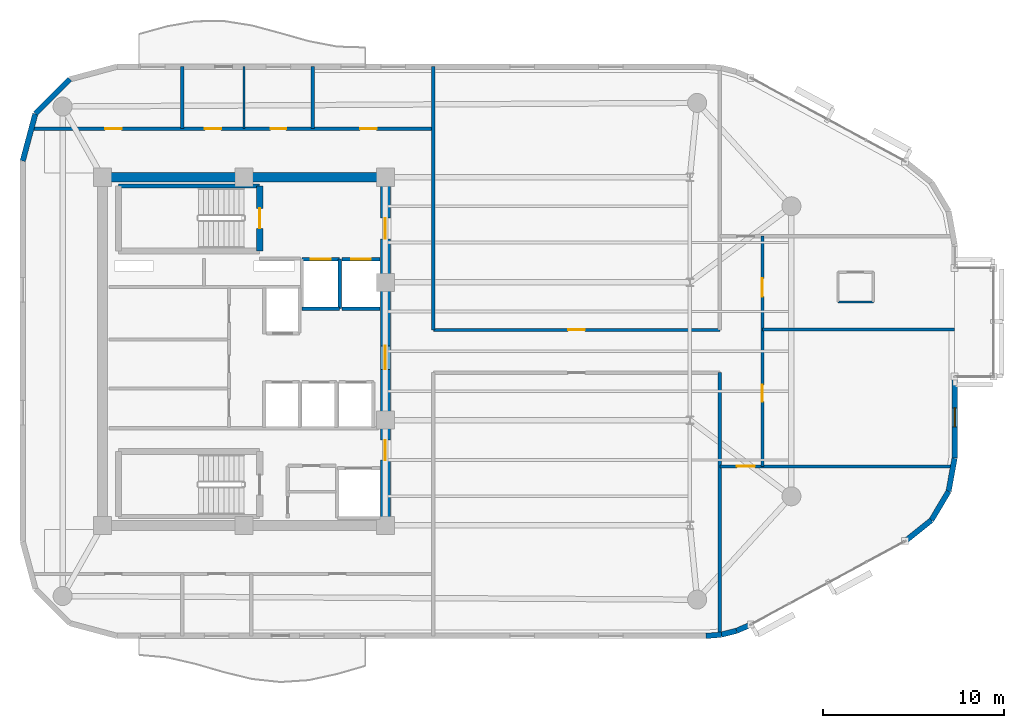
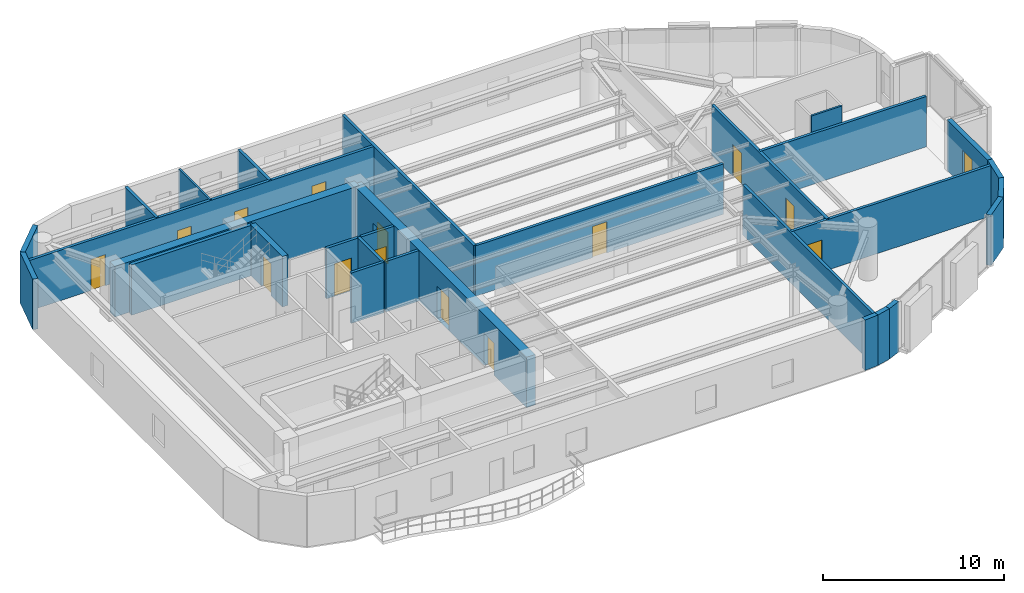
# One storey, part 11 of 14: 29 walls, 14 doors, 1 window, 15 openings.
"""IFC4 building model written with IfcOpenShell, lengths in metres."""

from ifc_helpers import new_model, si_unit, direction, frame, frame_2d, origin, place, context, subcontext, project, spatial, rectangle, extrude, material, layer, layer_set, type_object, element, fill, save


model = new_model("IFC4")

# Units and contexts
model_context = context("Model", 3, precision=1e-05, world=origin(), true_north=direction((0.0, 1.0)))
body_context = subcontext(model_context, "Body", "Model", "MODEL_VIEW")
ifc_project = project(units=[si_unit("LENGTHUNIT", "METRE"), si_unit("AREAUNIT", "SQUARE_METRE"), si_unit("VOLUMEUNIT", "CUBIC_METRE"), si_unit("PLANEANGLEUNIT", "RADIAN"), si_unit("MASSUNIT", "GRAM", prefix="KILO")], contexts=[model_context])

# Site, building, storey
site_placement = place(None, origin())
site = spatial("IfcSite", under=ifc_project, at=site_placement, CompositionType="ELEMENT")
building_placement = place(site_placement, origin())
building = spatial("IfcBuilding", under=site, at=building_placement, Name="An Khanh Terracotta Commons", CompositionType="ELEMENT")
storey_placement = place(building_placement, frame((0.0, 0.0, 230.10009765625)))
storey = spatial("IfcBuildingStorey", under=building, at=storey_placement, Name="L60", CompositionType="ELEMENT", Elevation=230.10009765625)

# Wall
ifc_material_1 = material(Name="Concrete C50/60", Category="concrete")
ifc_layer_1 = layer(ifc_material_1, 0.550048828125, Name="Concrete C50/60")
ifc_layer_set_1 = layer_set([ifc_layer_1], Name="Concrete C50/60")
wall_type_1 = type_object("IfcWallType", Name="WALL-CORE-550", PredefinedType="SHEAR", material=ifc_layer_set_1)
wall_1_placement = place(storey_placement, frame((21.60009765625, 33.60009765625, 0.0), z_axis=(0.0, 0.0, 1.0), x_axis=(1.0, 0.0, 0.0)))
element("IfcWall", 1, at=wall_1_placement, inside=storey, type_object=wall_type_1, Name="L60 Core Wall CWALL-L60-N", PredefinedType="SHEAR", context=body_context, shape_type="SweptSolid", body=[
    extrude(rectangle(XDim=15.599853515625, YDim=0.550048828125, at=frame_2d((7.7998046875, 0.0))), origin(), (0.0, 0.0, 1.0), 3.39990234375),
])

# Wall, openings, doors
wall_2_placement = place(storey_placement, frame((37.199951171875, 14.39990234375, 0.0), z_axis=(0.0, 0.0, 1.0), x_axis=(0.0, 1.0, 0.0)))
wall_2 = element("IfcWall", 2, at=wall_2_placement, inside=storey, type_object=wall_type_1, Name="L60 Core Wall CWALL-L60-E", PredefinedType="SHEAR", context=body_context, shape_type="SweptSolid", body=[
    extrude(rectangle(XDim=19.2001953125, YDim=0.550048828125, at=frame_2d((9.60009765625, 0.0))), origin(), (0.0, 0.0, 1.0), 3.39990234375),
])
opening_1_placement = place(wall_2_placement, frame((15.800048828125, 0.0, 0.0)))
opening_1 = element("IfcOpeningElement", 3, at=opening_1_placement, cuts=wall_2, Name="Opening D-FFL", PredefinedType="OPENING", context=body_context, shape_type="SweptSolid", body=[
    extrude(rectangle(XDim=1.14990234375, YDim=2.14990234375, at=frame_2d((0.574951171875, 1.074951171875))), frame((0.0, 0.284912109375, 0.0), z_axis=(0.0, -1.0, 0.0), x_axis=(1.0, 0.0, 0.0)), (0.0, 0.0, 1.0), 0.570068359375),
])
opening_2_placement = place(wall_2_placement, frame((3.60009765625, 0.0, 0.0)))
opening_2 = element("IfcOpeningElement", 4, at=opening_2_placement, cuts=wall_2, Name="Opening D-ST", PredefinedType="OPENING", context=body_context, shape_type="SweptSolid", body=[
    extrude(rectangle(XDim=1.10009765625, YDim=2.14990234375, at=frame_2d((0.550048828125, 1.074951171875))), frame((0.0, 0.284912109375, 0.0), z_axis=(0.0, -1.0, 0.0), x_axis=(1.0, 0.0, 0.0)), (0.0, 0.0, 1.0), 0.570068359375),
])
opening_3_placement = place(wall_2_placement, frame((8.60009765625, 0.0, 0.0)))
opening_3 = element("IfcOpeningElement", 5, at=opening_3_placement, cuts=wall_2, Name="Opening D-COR", PredefinedType="OPENING", context=body_context, shape_type="SweptSolid", body=[
    extrude(rectangle(XDim=1.300048828125, YDim=2.199951171875, at=frame_2d((0.64990234375, 1.10009765625))), frame((0.0, 0.284912109375, 0.0), z_axis=(0.0, -1.0, 0.0), x_axis=(1.0, 0.0, 0.0)), (0.0, 0.0, 1.0), 0.570068359375),
])
ifc_material_2 = material(Name="Fire-Rated Glazed Steel Double Door", Category="steel")
door_type_1 = type_object("IfcDoorType", Name="DOOR-CORR-1300", OperationType="NOTDEFINED", PredefinedType="DOOR", material=ifc_material_2)
door_1_placement = place(opening_3_placement, origin())
door_1 = element("IfcDoor", 6, at=door_1_placement, inside=storey, type_object=door_type_1, Name="L60 Passenger Lift Lobby Double Door", OperationType="DOUBLE_DOOR_SINGLE_SWING", OverallHeight=2.199951171875, OverallWidth=1.300048828125, PredefinedType="DOOR", context=body_context, shape_type="SweptSolid", body=[
    extrude(rectangle(XDim=1.300048828125, YDim=2.199951171875, at=frame_2d((0.64990234375, 1.10009765625))), frame((0.0, 0.02490234375, 0.0), z_axis=(0.0, -1.0, 0.0), x_axis=(1.0, 0.0, 0.0)), (0.0, 0.0, 1.0), 0.050048828125),
])
fill(opening_3, door_1)
ifc_material_3 = material(Name="Fire-Rated Steel Leaf and Vision Panel", Category="steel")
door_type_2 = type_object("IfcDoorType", Name="DOOR-FFL-1150", OperationType="NOTDEFINED", PredefinedType="DOOR", material=ifc_material_3)
door_2_placement = place(opening_1_placement, origin())
door_2 = element("IfcDoor", 7, at=door_2_placement, inside=storey, type_object=door_type_2, Name="L60 Firefighting Lift Lobby Fire Door", OperationType="SINGLE_SWING_RIGHT", OverallHeight=2.14990234375, OverallWidth=1.14990234375, PredefinedType="DOOR", context=body_context, shape_type="SweptSolid", body=[
    extrude(rectangle(XDim=1.14990234375, YDim=2.14990234375, at=frame_2d((0.574951171875, 1.074951171875))), frame((0.0, 0.02490234375, 0.0), z_axis=(0.0, -1.0, 0.0), x_axis=(1.0, 0.0, 0.0)), (0.0, 0.0, 1.0), 0.050048828125),
])
fill(opening_1, door_2)
ifc_material_4 = material(Name="Fire-Rated Steel Leaf and Frame", Category="steel")
door_type_3 = type_object("IfcDoorType", Name="DOOR-STAIR-1100", OperationType="NOTDEFINED", PredefinedType="DOOR", material=ifc_material_4)
door_3_placement = place(opening_2_placement, origin())
door_3 = element("IfcDoor", 8, at=door_3_placement, inside=storey, type_object=door_type_3, Name="L60 South Stair Lobby Fire Door", OperationType="SINGLE_SWING_LEFT", OverallHeight=2.14990234375, OverallWidth=1.10009765625, PredefinedType="DOOR", context=body_context, shape_type="SweptSolid", body=[
    extrude(rectangle(XDim=1.10009765625, YDim=2.14990234375, at=frame_2d((0.550048828125, 1.074951171875))), frame((0.0, 0.02490234375, 0.0), z_axis=(0.0, -1.0, 0.0), x_axis=(1.0, 0.0, 0.0)), (0.0, 0.0, 1.0), 0.050048828125),
])
fill(opening_2, door_3)

# Wall, opening, door
ifc_material_5 = material(Name="Fire-Rated Gypsum Board on Steel Stud", Category="steel")
ifc_layer_2 = layer(ifc_material_5, 0.179931640625, Name="Fire-Rated Gypsum Board on Steel Stud")
ifc_layer_set_2 = layer_set([ifc_layer_2], Name="Fire-Rated Gypsum Board on Steel Stud")
wall_type_2 = type_object("IfcWallType", Name="WALL-CORR-180", PredefinedType="PARTITIONING", material=ifc_layer_set_2)
wall_3_placement = place(storey_placement, frame((32.60009765625, 29.080078125, 0.0), z_axis=(0.0, 0.0, 1.0), x_axis=(1.0, 0.0, 0.0)))
wall_3 = element("IfcWall", 9, at=wall_3_placement, inside=storey, type_object=wall_type_2, Name="L60 Core Wall LSH-L60-FFL-01-N", PredefinedType="PARTITIONING", context=body_context, shape_type="SweptSolid", body=[
    extrude(rectangle(XDim=2.079833984375, YDim=0.179931640625, at=frame_2d((1.0400390625, 0.0))), origin(), (0.0, 0.0, 1.0), 3.39990234375),
])
opening_4_placement = place(wall_3_placement, frame((0.489990234375, 0.0, 0.0)))
opening_4 = element("IfcOpeningElement", 10, at=opening_4_placement, cuts=wall_3, Name="Opening LD-FFL-01-L60", PredefinedType="OPENING", context=body_context, shape_type="SweptSolid", body=[
    extrude(rectangle(XDim=1.10009765625, YDim=2.199951171875, at=frame_2d((0.550048828125, 1.10009765625))), frame((0.0, 0.099853515625, 0.0), z_axis=(0.0, -1.0, 0.0), x_axis=(1.0, 0.0, 0.0)), (0.0, 0.0, 1.0), 0.199951171875),
])
ifc_material_6 = material(Name="Brushed Stainless Steel Fire Landing Door", Category="steel")
door_type_4 = type_object("IfcDoorType", Name="DOOR-LD-FFL-1100", OperationType="NOTDEFINED", PredefinedType="DOOR", material=ifc_material_6)
door_4_placement = place(opening_4_placement, origin())
door_4 = element("IfcDoor", 11, at=door_4_placement, inside=storey, type_object=door_type_4, Name="L60 Lift FFL-01 Sliding Landing Door", OperationType="DOUBLE_DOOR_SLIDING", OverallHeight=2.199951171875, OverallWidth=1.10009765625, PredefinedType="DOOR", context=body_context, shape_type="SweptSolid", body=[
    extrude(rectangle(XDim=1.10009765625, YDim=2.199951171875, at=frame_2d((0.550048828125, 1.10009765625))), frame((0.0, 0.02490234375, 0.0), z_axis=(0.0, -1.0, 0.0), x_axis=(1.0, 0.0, 0.0)), (0.0, 0.0, 1.0), 0.050048828125),
])
fill(opening_4, door_4)

# Walls
wall_4_placement = place(storey_placement, frame((34.679931640625, 26.35009765625, 0.0), z_axis=(0.0, 0.0, 1.0), x_axis=(-1.0, 0.0, 0.0)))
element("IfcWall", 12, at=wall_4_placement, inside=storey, type_object=wall_type_2, Name="L60 Core Wall LSH-L60-FFL-01-S", PredefinedType="PARTITIONING", context=body_context, shape_type="SweptSolid", body=[
    extrude(rectangle(XDim=2.079833984375, YDim=0.179931640625, at=frame_2d((1.0400390625, 0.0))), origin(), (0.0, 0.0, 1.0), 3.39990234375),
])
wall_5_placement = place(storey_placement, frame((34.679931640625, 26.35009765625, 0.0), z_axis=(0.0, 0.0, 1.0), x_axis=(0.0, 1.0, 0.0)))
element("IfcWall", 13, at=wall_5_placement, inside=storey, type_object=wall_type_2, Name="L60 Core Wall LSH-L60-FFL-01-E", PredefinedType="PARTITIONING", context=body_context, shape_type="SweptSolid", body=[
    extrude(rectangle(XDim=2.72998046875, YDim=0.179931640625, at=frame_2d((1.364990234375, 0.0))), origin(), (0.0, 0.0, 1.0), 3.39990234375),
])

# Wall, opening, door
wall_6_placement = place(storey_placement, frame((34.820068359375, 29.080078125, 0.0), z_axis=(0.0, 0.0, 1.0), x_axis=(1.0, 0.0, 0.0)))
wall_6 = element("IfcWall", 14, at=wall_6_placement, inside=storey, type_object=wall_type_2, Name="L60 Core Wall LSH-L60-FFL-02-N", PredefinedType="PARTITIONING", context=body_context, shape_type="SweptSolid", body=[
    extrude(rectangle(XDim=2.079833984375, YDim=0.179931640625, at=frame_2d((1.0400390625, 0.0))), origin(), (0.0, 0.0, 1.0), 3.39990234375),
])
opening_5_placement = place(wall_6_placement, frame((0.489990234375, 0.0, 0.0)))
opening_5 = element("IfcOpeningElement", 15, at=opening_5_placement, cuts=wall_6, Name="Opening LD-FFL-02-L60", PredefinedType="OPENING", context=body_context, shape_type="SweptSolid", body=[
    extrude(rectangle(XDim=1.10009765625, YDim=2.199951171875, at=frame_2d((0.550048828125, 1.10009765625))), frame((0.0, 0.099853515625, 0.0), z_axis=(0.0, -1.0, 0.0), x_axis=(1.0, 0.0, 0.0)), (0.0, 0.0, 1.0), 0.199951171875),
])
door_5_placement = place(opening_5_placement, origin())
door_5 = element("IfcDoor", 16, at=door_5_placement, inside=storey, type_object=door_type_4, Name="L60 Lift FFL-02 Sliding Landing Door", OperationType="DOUBLE_DOOR_SLIDING", OverallHeight=2.199951171875, OverallWidth=1.10009765625, PredefinedType="DOOR", context=body_context, shape_type="SweptSolid", body=[
    extrude(rectangle(XDim=1.10009765625, YDim=2.199951171875, at=frame_2d((0.550048828125, 1.10009765625))), frame((0.0, 0.02490234375, 0.0), z_axis=(0.0, -1.0, 0.0), x_axis=(1.0, 0.0, 0.0)), (0.0, 0.0, 1.0), 0.050048828125),
])
fill(opening_5, door_5)

# Wall
wall_7_placement = place(storey_placement, frame((36.89990234375, 26.35009765625, 0.0), z_axis=(0.0, 0.0, 1.0), x_axis=(-1.0, 0.0, 0.0)))
element("IfcWall", 17, at=wall_7_placement, inside=storey, type_object=wall_type_2, Name="L60 Core Wall LSH-L60-FFL-02-S", PredefinedType="PARTITIONING", context=body_context, shape_type="SweptSolid", body=[
    extrude(rectangle(XDim=2.079833984375, YDim=0.179931640625, at=frame_2d((1.0400390625, 0.0))), origin(), (0.0, 0.0, 1.0), 3.39990234375),
])

# Wall, opening, door
wall_8_placement = place(storey_placement, frame((55.64990234375, 17.64990234375, 0.0), z_axis=(0.0, 0.0, 1.0), x_axis=(1.0, 0.0, 0.0)))
wall_8 = element("IfcWall", 18, at=wall_8_placement, inside=storey, type_object=wall_type_2, Name="L60 Interior Partition IW-L60-E002", PredefinedType="PARTITIONING", context=body_context, shape_type="SweptSolid", body=[
    extrude(rectangle(XDim=12.8681640625, YDim=0.179931640625, at=frame_2d((6.43408203125, 0.0))), origin(), (0.0, 0.0, 1.0), 3.39990234375),
])
opening_6_placement = place(wall_8_placement, frame((0.93505859375, 0.0, 0.0)))
opening_6 = element("IfcOpeningElement", 19, at=opening_6_placement, cuts=wall_8, Name="Opening D-UN", PredefinedType="OPENING", context=body_context, shape_type="SweptSolid", body=[
    extrude(rectangle(XDim=1.0, YDim=2.14990234375, at=frame_2d((0.5, 1.074951171875))), frame((0.0, 0.099853515625, 0.0), z_axis=(0.0, -1.0, 0.0), x_axis=(1.0, 0.0, 0.0)), (0.0, 0.0, 1.0), 0.199951171875),
])
ifc_material_7 = material(Name="Solid-Core Hardwood Acoustic Fire Door", Category="wood")
door_type_5 = type_object("IfcDoorType", Name="DOOR-UNIT-1000", OperationType="NOTDEFINED", PredefinedType="DOOR", material=ifc_material_7)
door_6_placement = place(opening_6_placement, origin())
door_6 = element("IfcDoor", 20, at=door_6_placement, inside=storey, type_object=door_type_5, Name="L60 CAPS Yoga Wellness Studio Door", OperationType="SINGLE_SWING_RIGHT", OverallHeight=2.14990234375, OverallWidth=1.0, PredefinedType="DOOR", context=body_context, shape_type="SweptSolid", body=[
    extrude(rectangle(XDim=1.0, YDim=2.14990234375, at=frame_2d((0.5, 1.074951171875))), frame((0.0, 0.02490234375, 0.0), z_axis=(0.0, -1.0, 0.0), x_axis=(1.0, 0.0, 0.0)), (0.0, 0.0, 1.0), 0.050048828125),
])
fill(opening_6, door_6)

wall_9_placement = place(storey_placement, frame((39.85009765625, 25.179931640625, 0.0), z_axis=(0.0, 0.0, 1.0), x_axis=(1.0, 0.0, 0.0)))
wall_9 = element("IfcWall", 21, at=wall_9_placement, inside=storey, type_object=wall_type_2, Name="L60 Interior Partition IW-L60-E004", PredefinedType="PARTITIONING", context=body_context, shape_type="SweptSolid", body=[
    extrude(rectangle(XDim=15.7998046875, YDim=0.179931640625, at=frame_2d((7.89990234375, 0.0))), origin(), (0.0, 0.0, 1.0), 3.39990234375),
])
opening_7_placement = place(wall_9_placement, frame((7.43994140625, 0.0, 0.0)))
opening_7 = element("IfcOpeningElement", 22, at=opening_7_placement, cuts=wall_9, Name="Opening D-RM", PredefinedType="OPENING", context=body_context, shape_type="SweptSolid", body=[
    extrude(rectangle(XDim=0.919921875, YDim=2.10009765625, at=frame_2d((0.4599609375, 1.050048828125))), frame((0.0, 0.099853515625, 0.0), z_axis=(0.0, -1.0, 0.0), x_axis=(1.0, 0.0, 0.0)), (0.0, 0.0, 1.0), 0.199951171875),
])
ifc_material_8 = material(Name="Engineered Hardwood Timber Leaf", Category="wood")
door_type_6 = type_object("IfcDoorType", Name="DOOR-INT-920", OperationType="NOTDEFINED", PredefinedType="DOOR", material=ifc_material_8)
door_7_placement = place(opening_7_placement, origin())
door_7 = element("IfcDoor", 23, at=door_7_placement, inside=storey, type_object=door_type_6, Name="L60 NB1 Student Reading Library Door", OperationType="SINGLE_SWING_LEFT", OverallHeight=2.10009765625, OverallWidth=0.919921875, PredefinedType="DOOR", context=body_context, shape_type="SweptSolid", body=[
    extrude(rectangle(XDim=0.919921875, YDim=2.10009765625, at=frame_2d((0.4599609375, 1.050048828125))), frame((0.0, 0.02490234375, 0.0), z_axis=(0.0, -1.0, 0.0), x_axis=(1.0, 0.0, 0.0)), (0.0, 0.0, 1.0), 0.050048828125),
])
fill(opening_7, door_7)

# Wall
wall_10_placement = place(storey_placement, frame((58.0, 25.199951171875, 0.0), z_axis=(0.0, 0.0, 1.0), x_axis=(1.0, 0.0, 0.0)))
element("IfcWall", 24, at=wall_10_placement, inside=storey, type_object=wall_type_2, Name="L60 Interior Partition IW-L60-E005", PredefinedType="PARTITIONING", context=body_context, shape_type="SweptSolid", body=[
    extrude(rectangle(XDim=10.60009765625, YDim=0.179931640625, at=frame_2d((5.300048828125, 0.0))), origin(), (0.0, 0.0, 1.0), 3.39990234375),
])

# Wall, openings, doors
wall_11_placement = place(storey_placement, frame((17.677001953125, 36.280029296875, 0.0), z_axis=(0.0, 0.0, 1.0), x_axis=(1.0, 0.0, 0.0)))
wall_11 = element("IfcWall", 25, at=wall_11_placement, inside=storey, type_object=wall_type_2, Name="L60 Interior Partition IW-L60-E007", PredefinedType="PARTITIONING", context=body_context, shape_type="SweptSolid", body=[
    extrude(rectangle(XDim=22.173095703125, YDim=0.179931640625, at=frame_2d((11.08642578125, 0.0))), origin(), (0.0, 0.0, 1.0), 3.39990234375),
])
opening_8_placement = place(wall_11_placement, frame((9.572998046875, 0.0, 0.0)))
opening_8 = element("IfcOpeningElement", 26, at=opening_8_placement, cuts=wall_11, Name="Opening D-WC", PredefinedType="OPENING", context=body_context, shape_type="SweptSolid", body=[
    extrude(rectangle(XDim=0.89990234375, YDim=2.10009765625, at=frame_2d((0.449951171875, 1.050048828125))), frame((0.0, 0.099853515625, 0.0), z_axis=(0.0, -1.0, 0.0), x_axis=(1.0, 0.0, 0.0)), (0.0, 0.0, 1.0), 0.199951171875),
])
opening_9_placement = place(wall_11_placement, frame((13.193115234375, 0.0, 0.0)))
opening_9 = element("IfcOpeningElement", 27, at=opening_9_placement, cuts=wall_11, Name="Opening D-ENS", PredefinedType="OPENING", context=body_context, shape_type="SweptSolid", body=[
    extrude(rectangle(XDim=0.860107421875, YDim=2.10009765625, at=frame_2d((0.43017578125, 1.050048828125))), frame((0.0, 0.099853515625, 0.0), z_axis=(0.0, -1.0, 0.0), x_axis=(1.0, 0.0, 0.0)), (0.0, 0.0, 1.0), 0.199951171875),
])
opening_10_placement = place(wall_11_placement, frame((4.06298828125, 0.0, 0.0)))
opening_10 = element("IfcOpeningElement", 28, at=opening_10_placement, cuts=wall_11, Name="Opening D-RM", PredefinedType="OPENING", context=body_context, shape_type="SweptSolid", body=[
    extrude(rectangle(XDim=0.919921875, YDim=2.10009765625, at=frame_2d((0.4599609375, 1.050048828125))), frame((0.0, 0.099853515625, 0.0), z_axis=(0.0, -1.0, 0.0), x_axis=(1.0, 0.0, 0.0)), (0.0, 0.0, 1.0), 0.199951171875),
])
opening_11_placement = place(wall_11_placement, frame((18.1279296875, 0.0, 0.0)))
opening_11 = element("IfcOpeningElement", 29, at=opening_11_placement, cuts=wall_11, Name="Opening D-RM", PredefinedType="OPENING", context=body_context, shape_type="SweptSolid", body=[
    extrude(rectangle(XDim=0.919921875, YDim=2.10009765625, at=frame_2d((0.4599609375, 1.050048828125))), frame((0.0, 0.099853515625, 0.0), z_axis=(0.0, -1.0, 0.0), x_axis=(1.0, 0.0, 0.0)), (0.0, 0.0, 1.0), 0.199951171875),
])
ifc_material_9 = material(Name="Moisture-Resistant Hardwood Timber Leaf", Category="wood")
door_type_7 = type_object("IfcDoorType", Name="DOOR-BATH-860", OperationType="NOTDEFINED", PredefinedType="DOOR", material=ifc_material_9)
door_8_placement = place(opening_9_placement, origin())
door_8 = element("IfcDoor", 30, at=door_8_placement, inside=storey, type_object=door_type_7, Name="L60 SHW Resident Shared Shower and Washroom Door", OperationType="SINGLE_SWING_LEFT", OverallHeight=2.10009765625, OverallWidth=0.860107421875, PredefinedType="DOOR", context=body_context, shape_type="SweptSolid", body=[
    extrude(rectangle(XDim=0.860107421875, YDim=2.10009765625, at=frame_2d((0.43017578125, 1.050048828125))), frame((0.0, 0.02490234375, 0.0), z_axis=(0.0, -1.0, 0.0), x_axis=(1.0, 0.0, 0.0)), (0.0, 0.0, 1.0), 0.050048828125),
])
fill(opening_9, door_8)
door_9_placement = place(opening_10_placement, origin())
door_9 = element("IfcDoor", 31, at=door_9_placement, inside=storey, type_object=door_type_6, Name="L60 NW1 Quiet Focus Office Door", OperationType="SINGLE_SWING_LEFT", OverallHeight=2.10009765625, OverallWidth=0.919921875, PredefinedType="DOOR", context=body_context, shape_type="SweptSolid", body=[
    extrude(rectangle(XDim=0.919921875, YDim=2.10009765625, at=frame_2d((0.4599609375, 1.050048828125))), frame((0.0, 0.02490234375, 0.0), z_axis=(0.0, -1.0, 0.0), x_axis=(1.0, 0.0, 0.0)), (0.0, 0.0, 1.0), 0.050048828125),
])
fill(opening_10, door_9)
door_10_placement = place(opening_11_placement, origin())
door_10 = element("IfcDoor", 32, at=door_10_placement, inside=storey, type_object=door_type_6, Name="L60 NWE Academic Seminar Room Door", OperationType="SINGLE_SWING_RIGHT", OverallHeight=2.10009765625, OverallWidth=0.919921875, PredefinedType="DOOR", context=body_context, shape_type="SweptSolid", body=[
    extrude(rectangle(XDim=0.919921875, YDim=2.10009765625, at=frame_2d((0.4599609375, 1.050048828125))), frame((0.0, 0.02490234375, 0.0), z_axis=(0.0, -1.0, 0.0), x_axis=(1.0, 0.0, 0.0)), (0.0, 0.0, 1.0), 0.050048828125),
])
fill(opening_11, door_10)
ifc_material_10 = material(Name="Laminate Moisture-Resistant Timber Leaf", Category="wood")
door_type_8 = type_object("IfcDoorType", Name="DOOR-WC-900", OperationType="NOTDEFINED", PredefinedType="DOOR", material=ifc_material_10)
door_11_placement = place(opening_8_placement, origin())
door_11 = element("IfcDoor", 33, at=door_11_placement, inside=storey, type_object=door_type_8, Name="L60 AWC Accessible WC Door", OperationType="SINGLE_SWING_RIGHT", OverallHeight=2.10009765625, OverallWidth=0.89990234375, PredefinedType="DOOR", context=body_context, shape_type="SweptSolid", body=[
    extrude(rectangle(XDim=0.89990234375, YDim=2.10009765625, at=frame_2d((0.449951171875, 1.050048828125))), frame((0.0, 0.02490234375, 0.0), z_axis=(0.0, -1.0, 0.0), x_axis=(1.0, 0.0, 0.0)), (0.0, 0.0, 1.0), 0.050048828125),
])
fill(opening_8, door_11)

# Walls
for number, where, z_axis, x_axis, name in (
    (34, (26.0, 36.280029296875, 0.0), (0.0, 0.0, 1.0), (0.0, 1.0, 0.0), "L60 Interior Partition IW-L60-E009"),
    (35, (33.199951171875, 36.280029296875, 0.0), (0.0, 0.0, 1.0), (0.0, 1.0, 0.0), "L60 Interior Partition IW-L60-E012"),
):
    element("IfcWall", number, at=place(storey_placement, frame(where, z_axis=z_axis, x_axis=x_axis)), inside=storey, type_object=wall_type_2, Name=name, PredefinedType="PARTITIONING", context=body_context, shape_type="SweptSolid", body=[
        extrude(rectangle(XDim=3.419921875, YDim=0.179931640625, at=frame_2d((1.7099609375, 0.0))), origin(), (0.0, 0.0, 1.0), 3.39990234375),
    ])
wall_12_placement = place(storey_placement, frame((39.85009765625, 25.179931640625, 0.0), z_axis=(0.0, 0.0, 1.0), x_axis=(0.0, 1.0, 0.0)))
element("IfcWall", 36, at=wall_12_placement, inside=storey, type_object=wall_type_2, Name="L60 Interior Partition IW-L60-E014", PredefinedType="PARTITIONING", context=body_context, shape_type="SweptSolid", body=[
    extrude(rectangle(XDim=14.52001953125, YDim=0.179931640625, at=frame_2d((7.260009765625, 0.0))), origin(), (0.0, 0.0, 1.0), 3.39990234375),
])
wall_13_placement = place(storey_placement, frame((55.64990234375, 8.364013671875, 0.0), z_axis=(0.0, 0.0, 1.0), x_axis=(0.0, 1.0, 0.0)))
element("IfcWall", 37, at=wall_13_placement, inside=storey, type_object=wall_type_2, Name="L60 Interior Partition IW-L60-E015", PredefinedType="PARTITIONING", context=body_context, shape_type="SweptSolid", body=[
    extrude(rectangle(XDim=14.4560546875, YDim=0.179931640625, at=frame_2d((7.22802734375, 0.0))), origin(), (0.0, 0.0, 1.0), 3.39990234375),
])

# Wall, openings, doors
wall_14_placement = place(storey_placement, frame((58.0, 17.64990234375, 0.0), z_axis=(0.0, 0.0, 1.0), x_axis=(0.0, 1.0, 0.0)))
wall_14 = element("IfcWall", 38, at=wall_14_placement, inside=storey, type_object=wall_type_2, Name="L60 Interior Partition IW-L60-E017", PredefinedType="PARTITIONING", context=body_context, shape_type="SweptSolid", body=[
    extrude(rectangle(XDim=12.7001953125, YDim=0.179931640625, at=frame_2d((6.35009765625, 0.0))), origin(), (0.0, 0.0, 1.0), 3.39990234375),
])
opening_12_placement = place(wall_14_placement, frame((9.364990234375, 0.0, 0.0)))
opening_12 = element("IfcOpeningElement", 39, at=opening_12_placement, cuts=wall_14, Name="Opening D-UN", PredefinedType="OPENING", context=body_context, shape_type="SweptSolid", body=[
    extrude(rectangle(XDim=1.0, YDim=2.14990234375, at=frame_2d((0.5, 1.074951171875))), frame((0.0, 0.099853515625, 0.0), z_axis=(0.0, -1.0, 0.0), x_axis=(1.0, 0.0, 0.0)), (0.0, 0.0, 1.0), 0.199951171875),
])
opening_13_placement = place(wall_14_placement, frame((3.574951171875, 0.0, 0.0)))
opening_13 = element("IfcOpeningElement", 40, at=opening_13_placement, cuts=wall_14, Name="Opening D-RM", PredefinedType="OPENING", context=body_context, shape_type="SweptSolid", body=[
    extrude(rectangle(XDim=0.919921875, YDim=2.10009765625, at=frame_2d((0.4599609375, 1.050048828125))), frame((0.0, 0.099853515625, 0.0), z_axis=(0.0, -1.0, 0.0), x_axis=(1.0, 0.0, 0.0)), (0.0, 0.0, 1.0), 0.199951171875),
])
door_12_placement = place(opening_13_placement, origin())
door_12 = element("IfcDoor", 41, at=door_12_placement, inside=storey, type_object=door_type_6, Name="L60 EF2 Riverfront Study Lounge Door", OperationType="SINGLE_SWING_RIGHT", OverallHeight=2.10009765625, OverallWidth=0.919921875, PredefinedType="DOOR", context=body_context, shape_type="SweptSolid", body=[
    extrude(rectangle(XDim=0.919921875, YDim=2.10009765625, at=frame_2d((0.4599609375, 1.050048828125))), frame((0.0, 0.02490234375, 0.0), z_axis=(0.0, -1.0, 0.0), x_axis=(1.0, 0.0, 0.0)), (0.0, 0.0, 1.0), 0.050048828125),
])
fill(opening_13, door_12)
door_13_placement = place(opening_12_placement, origin())
door_13 = element("IfcDoor", 42, at=door_13_placement, inside=storey, type_object=door_type_5, Name="L60 EF1 Kitchenette and Studio Apartment Door", OperationType="SINGLE_SWING_LEFT", OverallHeight=2.14990234375, OverallWidth=1.0, PredefinedType="DOOR", context=body_context, shape_type="SweptSolid", body=[
    extrude(rectangle(XDim=1.0, YDim=2.14990234375, at=frame_2d((0.5, 1.074951171875))), frame((0.0, 0.02490234375, 0.0), z_axis=(0.0, -1.0, 0.0), x_axis=(1.0, 0.0, 0.0)), (0.0, 0.0, 1.0), 0.050048828125),
])
fill(opening_12, door_13)

# Walls
ifc_material_11 = material(Name="Precast concrete C40/50", Category="concrete")
ifc_layer_3 = layer(ifc_material_11, 0.300048828125, Name="Precast concrete C40/50")
ifc_layer_set_3 = layer_set([ifc_layer_3], Name="Precast concrete C40/50")
wall_type_3 = type_object("IfcWallType", Name="WALL-EXT-300", PredefinedType="SOLIDWALL", material=ifc_layer_set_3)
wall_15_placement = place(storey_placement, frame((54.885009765625, 8.300048828125, 0.0), z_axis=(0.0, 0.0, 1.0), x_axis=(0.996565355958, 0.082809971041, 0.0)))
element("IfcWall", 43, at=wall_15_placement, inside=storey, type_object=wall_type_3, Name="L60 Insulated Terracotta Exterior Wall 5", PredefinedType="SOLIDWALL", context=body_context, shape_type="SweptSolid", body=[
    extrude(rectangle(XDim=0.85791015625, YDim=0.300048828125, at=frame_2d((0.428955078125, 0.0))), origin(), (0.0, 0.0, 1.0), 3.39990234375),
])
wall_16_placement = place(storey_placement, frame((55.739990234375, 8.37109375, 0.0), z_axis=(0.0, 0.0, 1.0), x_axis=(0.969536346338, 0.244947490555, 0.0)))
element("IfcWall", 44, at=wall_16_placement, inside=storey, type_object=wall_type_3, Name="L60 Insulated Terracotta Exterior Wall 6", PredefinedType="SOLIDWALL", context=body_context, shape_type="SweptSolid", body=[
    extrude(rectangle(XDim=0.857177734375, YDim=0.300048828125, at=frame_2d((0.4287109375, 0.0))), origin(), (0.0, 0.0, 1.0), 3.39990234375),
])
wall_17_placement = place(storey_placement, frame((56.571044921875, 8.5810546875, 0.0), z_axis=(0.0, 0.0, 1.0), x_axis=(0.916085473636, 0.400983048261, 0.0)))
element("IfcWall", 45, at=wall_17_placement, inside=storey, type_object=wall_type_3, Name="L60 Insulated Terracotta Exterior Wall 7", PredefinedType="SOLIDWALL", context=body_context, shape_type="SweptSolid", body=[
    extrude(rectangle(XDim=0.85791015625, YDim=0.300048828125, at=frame_2d((0.428955078125, 0.0))), origin(), (0.0, 0.0, 1.0), 3.39990234375),
])
wall_18_placement = place(storey_placement, frame((65.8720703125, 13.52587890625, 0.0), z_axis=(0.0, 0.0, 1.0), x_axis=(0.780920189257, 0.624630817372, 0.0)))
element("IfcWall", 46, at=wall_18_placement, inside=storey, type_object=wall_type_3, Name="L60 Insulated Terracotta Exterior Wall 9", PredefinedType="SOLIDWALL", context=body_context, shape_type="SweptSolid", body=[
    extrude(rectangle(XDim=1.854248046875, YDim=0.300048828125, at=frame_2d((0.92724609375, 0.0))), origin(), (0.0, 0.0, 1.0), 3.39990234375),
])
wall_19_placement = place(storey_placement, frame((67.320068359375, 14.68408203125, 0.0), z_axis=(0.0, 0.0, 1.0), x_axis=(0.512072018927, 0.858942516955, 0.0)))
element("IfcWall", 47, at=wall_19_placement, inside=storey, type_object=wall_type_3, Name="L60 Insulated Terracotta Exterior Wall 10", PredefinedType="SOLIDWALL", context=body_context, shape_type="SweptSolid", body=[
    extrude(rectangle(XDim=1.853271484375, YDim=0.300048828125, at=frame_2d((0.9267578125, 0.0))), origin(), (0.0, 0.0, 1.0), 3.39990234375),
])
wall_20_placement = place(storey_placement, frame((68.26904296875, 16.27587890625, 0.0), z_axis=(0.0, 0.0, 1.0), x_axis=(0.178468469252, 0.983945631365, 0.0)))
element("IfcWall", 48, at=wall_20_placement, inside=storey, type_object=wall_type_3, Name="L60 Insulated Terracotta Exterior Wall 11", PredefinedType="SOLIDWALL", context=body_context, shape_type="SweptSolid", body=[
    extrude(rectangle(XDim=1.85498046875, YDim=0.300048828125, at=frame_2d((0.927490234375, 0.0))), origin(), (0.0, 0.0, 1.0), 3.39990234375),
])

# Wall, opening, window
wall_21_placement = place(storey_placement, frame((68.60009765625, 18.10107421875, 0.0), z_axis=(0.0, 0.0, 1.0), x_axis=(0.0, 1.0, 0.0)))
wall_21 = element("IfcWall", 49, at=wall_21_placement, inside=storey, type_object=wall_type_3, Name="L60 East Nose Wall South", PredefinedType="SOLIDWALL", context=body_context, shape_type="SweptSolid", body=[
    extrude(rectangle(XDim=4.4990234375, YDim=0.300048828125, at=frame_2d((2.24951171875, 0.0))), origin(), (0.0, 0.0, 1.0), 3.39990234375),
])
opening_14_placement = place(wall_21_placement, frame((1.72509765625, 0.0, 0.85009765625)))
opening_14 = element("IfcOpeningElement", 50, at=opening_14_placement, cuts=wall_21, Name="Opening W-06", PredefinedType="OPENING", context=body_context, shape_type="SweptSolid", body=[
    extrude(rectangle(XDim=1.050048828125, YDim=1.550048828125, at=frame_2d((0.52490234375, 0.77490234375))), frame((0.0, 0.159912109375, 0.0), z_axis=(0.0, -1.0, 0.0), x_axis=(1.0, 0.0, 0.0)), (0.0, 0.0, 1.0), 0.320068359375),
])
ifc_material_12 = material(Name="Thermally Broken Aluminium and Low-E Glass", Category="aluminium")
window_type = type_object("IfcWindowType", Name="WIN-COR-1050x1550", PartitioningType="SINGLE_PANEL", PredefinedType="WINDOW", material=ifc_material_12)
window_placement = place(opening_14_placement, origin())
window = element("IfcWindow", 51, at=window_placement, inside=storey, type_object=window_type, Name="L60 East Nose South Casement Window", OverallHeight=1.550048828125, OverallWidth=1.050048828125, PartitioningType="SINGLE_PANEL", PredefinedType="WINDOW", context=body_context, shape_type="SweptSolid", body=[
    extrude(rectangle(XDim=1.050048828125, YDim=1.550048828125, at=frame_2d((0.52490234375, 0.77490234375))), frame((0.0, 0.030029296875, 0.0), z_axis=(0.0, -1.0, 0.0), x_axis=(1.0, 0.0, 0.0)), (0.0, 0.0, 1.0), 0.06005859375),
])
fill(opening_14, window)

# Walls
wall_22_placement = place(storey_placement, frame((19.800048828125, 39.0029296875, 0.0), z_axis=(0.0, 0.0, 1.0), x_axis=(-0.707152139074, -0.70706142039, 0.0)))
element("IfcWall", 52, at=wall_22_placement, inside=storey, type_object=wall_type_3, Name="L60 Insulated Terracotta Exterior Wall 22", PredefinedType="SOLIDWALL", context=body_context, shape_type="SweptSolid", body=[
    extrude(rectangle(XDim=2.691162109375, YDim=0.300048828125, at=frame_2d((1.345703125, 0.0))), origin(), (0.0, 0.0, 1.0), 3.39990234375),
])
wall_23_placement = place(storey_placement, frame((17.89697265625, 37.10009765625, 0.0), z_axis=(0.0, 0.0, 1.0), x_axis=(-0.258932525951, -0.965895412042, 0.0)))
element("IfcWall", 53, at=wall_23_placement, inside=storey, type_object=wall_type_3, Name="L60 Insulated Terracotta Exterior Wall 23", PredefinedType="SOLIDWALL", context=body_context, shape_type="SweptSolid", body=[
    extrude(rectangle(XDim=2.69189453125, YDim=0.300048828125, at=frame_2d((1.345947265625, 0.0))), origin(), (0.0, 0.0, 1.0), 3.39990234375),
])
ifc_material_13 = material(Name="Acoustic Double-Stud Gypsum and Mineral Wool")
ifc_layer_4 = layer(ifc_material_13, 0.219970703125, Name="Acoustic Double-Stud Gypsum and Mineral Wool")
ifc_layer_set_4 = layer_set([ifc_layer_4], Name="Acoustic Double-Stud Gypsum and Mineral Wool")
wall_type_4 = type_object("IfcWallType", Name="WALL-PARTY-220", PredefinedType="PARTITIONING", material=ifc_layer_set_4)
wall_24_placement = place(storey_placement, frame((22.47998046875, 33.110107421875, 0.0), z_axis=(0.0, 0.0, 1.0), x_axis=(1.0, 0.0, 0.0)))
element("IfcWall", 54, at=wall_24_placement, inside=storey, type_object=wall_type_4, Name="L60 Core Wall STW-L60-N-N", PredefinedType="PARTITIONING", context=body_context, shape_type="SweptSolid", body=[
    extrude(rectangle(XDim=7.7900390625, YDim=0.219970703125, at=frame_2d((3.89501953125, 0.0))), origin(), (0.0, 0.0, 1.0), 3.39990234375),
])

# Wall, opening, door
ifc_layer_5 = layer(ifc_material_1, 0.35009765625, Name="Concrete C50/60")
ifc_layer_set_5 = layer_set([ifc_layer_5], Name="Concrete C50/60")
wall_type_5 = type_object("IfcWallType", Name="WALL-SHAFT-350", PredefinedType="SOLIDWALL", material=ifc_layer_set_5)
wall_25_placement = place(storey_placement, frame((30.27001953125, 29.530029296875, 0.0), z_axis=(0.0, 0.0, 1.0), x_axis=(0.0, 1.0, 0.0)))
wall_25 = element("IfcWall", 55, at=wall_25_placement, inside=storey, type_object=wall_type_5, Name="L60 Core Wall STW-L60-N-E", PredefinedType="SOLIDWALL", context=body_context, shape_type="SweptSolid", body=[
    extrude(rectangle(XDim=3.580078125, YDim=0.35009765625, at=frame_2d((1.7900390625, 0.0))), origin(), (0.0, 0.0, 1.0), 3.39990234375),
])
opening_15_placement = place(wall_25_placement, frame((1.25, 0.0, 0.0)))
opening_15 = element("IfcOpeningElement", 56, at=opening_15_placement, cuts=wall_25, Name="Opening D-ST", PredefinedType="OPENING", context=body_context, shape_type="SweptSolid", body=[
    extrude(rectangle(XDim=1.10009765625, YDim=2.14990234375, at=frame_2d((0.550048828125, 1.074951171875))), frame((0.0, 0.18505859375, 0.0), z_axis=(0.0, -1.0, 0.0), x_axis=(1.0, 0.0, 0.0)), (0.0, 0.0, 1.0), 0.3701171875),
])
door_14_placement = place(opening_15_placement, origin())
door_14 = element("IfcDoor", 57, at=door_14_placement, inside=storey, type_object=door_type_3, Name="L60 Stair ST-01 Fire Door", OperationType="SINGLE_SWING_RIGHT", OverallHeight=2.14990234375, OverallWidth=1.10009765625, PredefinedType="DOOR", context=body_context, shape_type="SweptSolid", body=[
    extrude(rectangle(XDim=1.10009765625, YDim=2.14990234375, at=frame_2d((0.550048828125, 1.074951171875))), frame((0.0, 0.02490234375, 0.0), z_axis=(0.0, -1.0, 0.0), x_axis=(1.0, 0.0, 0.0)), (0.0, 0.0, 1.0), 0.050048828125),
])
fill(opening_15, door_14)

# Walls
ifc_material_14 = material(Name="Moisture-Resistant Cement Board Partition")
ifc_layer_6 = layer(ifc_material_14, 0.1201171875, Name="Moisture-Resistant Cement Board Partition")
ifc_layer_set_6 = layer_set([ifc_layer_6], Name="Moisture-Resistant Cement Board Partition")
wall_type_6 = type_object("IfcWallType", Name="WALL-WET-120", PredefinedType="PARTITIONING", material=ifc_layer_set_6)
wall_26_placement = place(storey_placement, frame((64.114990234375, 26.7099609375, 0.0), z_axis=(0.0, 0.0, 1.0), x_axis=(-1.0, 0.0, 0.0)))
element("IfcWall", 58, at=wall_26_placement, inside=storey, type_object=wall_type_6, Name="L60 Interior Partition IW-L60-EF1-BS", PredefinedType="PARTITIONING", context=body_context, shape_type="SweptSolid", body=[
    extrude(rectangle(XDim=1.949951171875, YDim=0.1201171875, at=frame_2d((0.97509765625, 0.0))), origin(), (0.0, 0.0, 1.0), 3.39990234375),
])
wall_27_placement = place(storey_placement, frame((29.39990234375, 36.280029296875, 0.0), z_axis=(0.0, 0.0, 1.0), x_axis=(0.0, 1.0, 0.0)))
element("IfcWall", 59, at=wall_27_placement, inside=storey, type_object=wall_type_6, Name="L60 Interior Partition IW-L60-E010", PredefinedType="PARTITIONING", context=body_context, shape_type="SweptSolid", body=[
    extrude(rectangle(XDim=3.419921875, YDim=0.1201171875, at=frame_2d((1.7099609375, 0.0))), origin(), (0.0, 0.0, 1.0), 3.39990234375),
])

save(model, "model.ifc")
